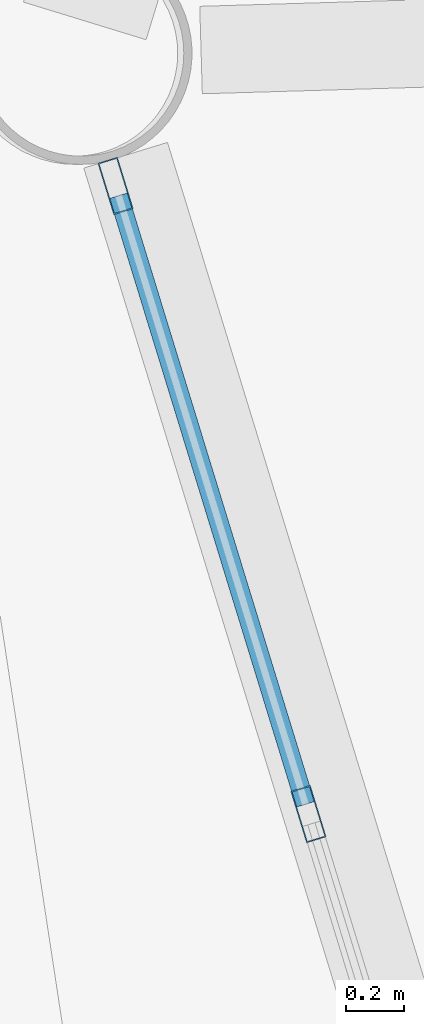
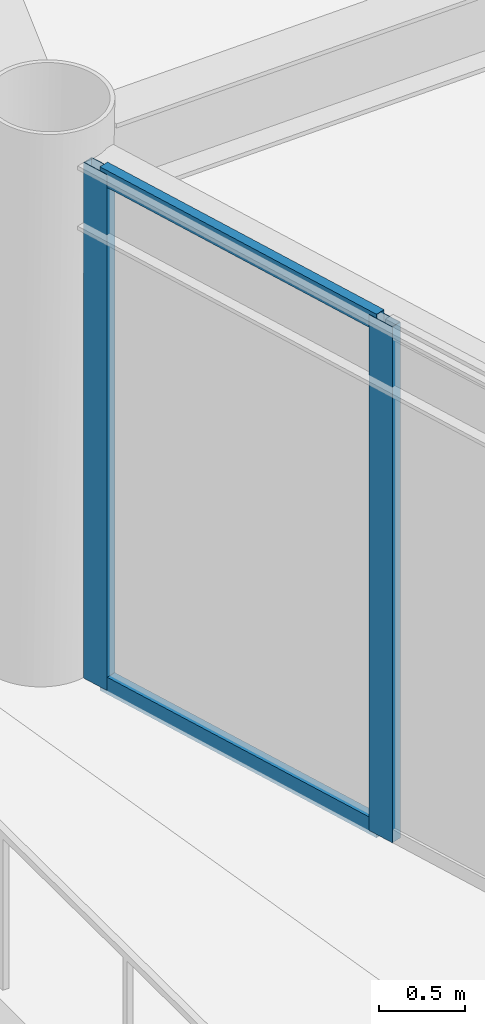
# One storey, part 8 of 23: 4 members, 1 element without a shape of its own.
"""IFC4 building model written with IfcOpenShell, lengths in metres."""

from ifc_helpers import new_model, si_unit, direction, frame, origin, origin_2d, place, context, subcontext, project, spatial, hollow_rectangle, extrude, material, layer, layer_set, material_profile, profile_set, type_object, element, aggregate, save


model = new_model("IFC4")

# Units and contexts
model_context = context("Model", 3, precision=1e-05, world=origin(), true_north=direction((0.0, 1.0)))
body_context = subcontext(model_context, "Body", "Model", "MODEL_VIEW")
ifc_project = project(units=[si_unit("LENGTHUNIT", "METRE"), si_unit("AREAUNIT", "SQUARE_METRE"), si_unit("VOLUMEUNIT", "CUBIC_METRE"), si_unit("PLANEANGLEUNIT", "RADIAN"), si_unit("MASSUNIT", "GRAM", prefix="KILO")], contexts=[model_context])

# Site, building, storey
site_placement = place(None, origin())
site = spatial("IfcSite", under=ifc_project, at=site_placement, CompositionType="ELEMENT")
building_placement = place(site_placement, origin())
building = spatial("IfcBuilding", under=site, at=building_placement, Name="Varnakorn Sky Granary", CompositionType="ELEMENT")
storey_placement = place(building_placement, frame((0.0, 0.0, 130.5)))
storey = spatial("IfcBuildingStorey", under=building, at=storey_placement, Name="L32", CompositionType="ELEMENT", Elevation=130.5)

# Curtain wall, members
ifc_material = material(Name="Anodised Bronze Aluminium Alloy 6063-T6", Category="aluminium")
ifc_layer = layer(ifc_material, 0.179931640625, Name="Anodised Bronze Aluminium Alloy 6063-T6")
ifc_layer_set = layer_set([ifc_layer], Name="Anodised Bronze Aluminium Alloy 6063-T6")
curtain_wall_type = type_object("IfcCurtainWallType", Name="CW-FRM-2", PredefinedType="USERDEFINED", material=ifc_layer_set)
curtain_wall_placement = place(storey_placement, origin())
curtain_wall = element("IfcCurtainWall", 1, at=curtain_wall_placement, inside=storey, type_object=curtain_wall_type, Name="Unitised Curtain Wall CW4 CW-L32-B07", ObjectType="CURTAIN WALL", PredefinedType="USERDEFINED")
ifc_material_profile_1 = material_profile(ifc_material, hollow_rectangle(XDim=0.070068359375, YDim=0.18505859375, WallThickness=0.00390625, at=origin_2d()), Name="ALU MULL 70x185")
ifc_profile_set_1 = profile_set([ifc_material_profile_1], Name="Anodised Bronze Aluminium Alloy 6063-T6")
member_type_1 = type_object("IfcMemberType", Name="CW-FRM-2-MULL", PredefinedType="MULLION", material=ifc_profile_set_1)
member_1_placement = place(storey_placement, frame((-21.815673828125, -2.609619140625, 0.0), z_axis=(0.0, 0.0, 1.0), x_axis=(-0.955954304208, -0.293515533262, 0.0)))
member_1 = element("IfcMember", 2, at=member_1_placement, type_object=member_type_1, Name="CW4 mullion 4", PredefinedType="MULLION", context=body_context, shape_type="SweptSolid", body=[
    extrude(hollow_rectangle(XDim=0.070068359375, YDim=0.18505859375, WallThickness=0.00390625, at=origin_2d()), origin(), (0.0, 0.0, 1.0), 3.639892578125),
])
member_2_placement = place(storey_placement, frame((-22.477294921875, -0.455078125, 0.0), z_axis=(0.0, 0.0, 1.0), x_axis=(-0.955954304208, -0.293515533262, 0.0)))
member_2 = element("IfcMember", 3, at=member_2_placement, type_object=member_type_1, Name="CW4 mullion 5", PredefinedType="MULLION", context=body_context, shape_type="SweptSolid", body=[
    extrude(hollow_rectangle(XDim=0.070068359375, YDim=0.18505859375, WallThickness=0.00390625, at=origin_2d()), origin(), (0.0, 0.0, 1.0), 3.639892578125),
])
ifc_material_profile_2 = material_profile(ifc_material, hollow_rectangle(XDim=0.06494140625, YDim=0.1201171875, WallThickness=0.00341796875, at=origin_2d()), Name="ALU TRAN 65x120")
ifc_profile_set_2 = profile_set([ifc_material_profile_2], Name="Anodised Bronze Aluminium Alloy 6063-T6")
member_type_2 = type_object("IfcMemberType", Name="CW-FRM-2-TRAN", PredefinedType="USERDEFINED", material=ifc_profile_set_2)
member_3_placement = place(storey_placement, frame((-21.825927734375, -2.576171875, 0.032470703125), z_axis=(-0.293567329684, 0.955938399136, 0.0), x_axis=(-0.955938399136, -0.293567329684, 0.0)))
member_3 = element("IfcMember", 4, at=member_3_placement, type_object=member_type_2, Name="CW4 transom 4.1", ObjectType="TRANSOM", PredefinedType="USERDEFINED", context=body_context, shape_type="SweptSolid", body=[
    extrude(hollow_rectangle(XDim=0.06494140625, YDim=0.1201171875, WallThickness=0.00341796875, at=origin_2d()), origin(), (0.0, 0.0, 1.0), 2.183837890625),
])
member_4_placement = place(storey_placement, frame((-21.825927734375, -2.576171875, 3.607421875), z_axis=(-0.293567329684, 0.955938399136, 0.0), x_axis=(-0.955938399136, -0.293567329684, 0.0)))
member_4 = element("IfcMember", 5, at=member_4_placement, type_object=member_type_2, Name="CW4 transom 4.2", ObjectType="TRANSOM", PredefinedType="USERDEFINED", context=body_context, shape_type="SweptSolid", body=[
    extrude(hollow_rectangle(XDim=0.06494140625, YDim=0.1201171875, WallThickness=0.00341796875, at=origin_2d()), origin(), (0.0, 0.0, 1.0), 2.183837890625),
])
aggregate(curtain_wall, [member_1, member_2, member_3, member_4])

save(model, "model.ifc")
